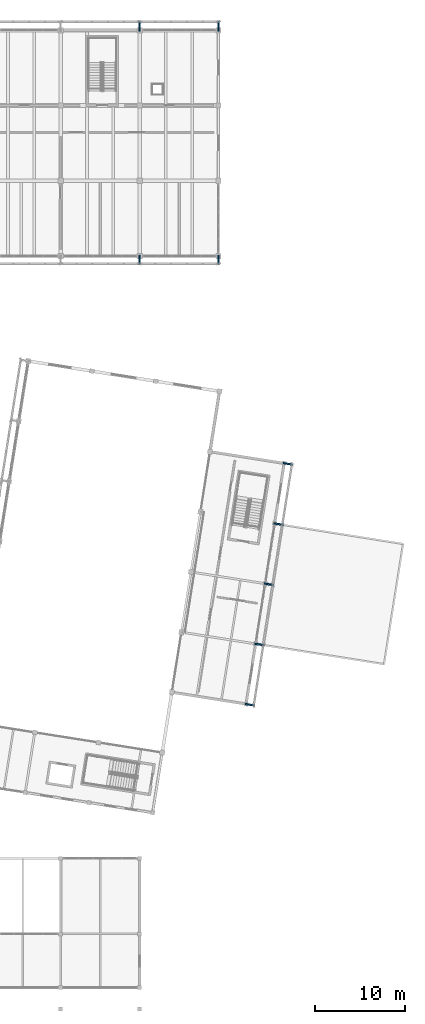
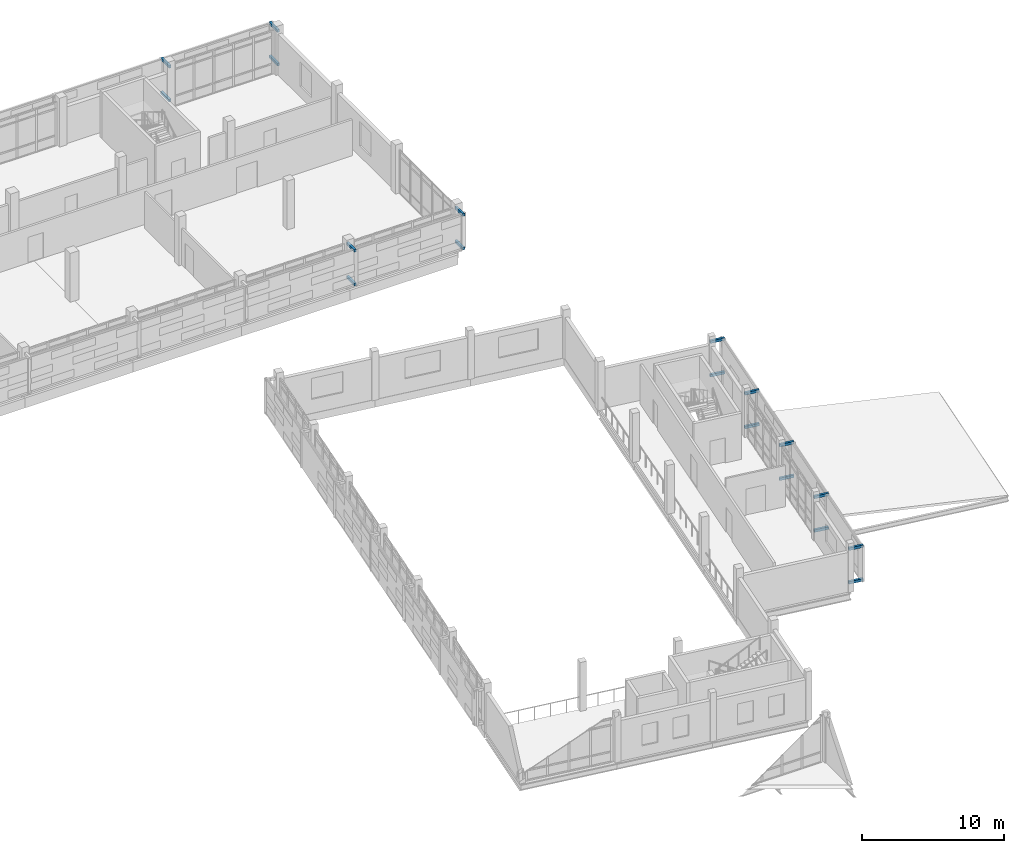
# One storey, part 118 of 137: 18 discrete accessories.
"""IFC4 building model written with IfcOpenShell, lengths in metres."""

from ifc_helpers import new_model, si_unit, direction, frame, origin, origin_2d, place, context, subcontext, project, spatial, rectangle, extrude, material, type_object, element, save


model = new_model("IFC4")

# Units and contexts
model_context = context("Model", 3, precision=1e-05, world=origin(), true_north=direction((0.0, 1.0)))
body_context = subcontext(model_context, "Body", "Model", "MODEL_VIEW")
ifc_project = project(units=[si_unit("LENGTHUNIT", "METRE"), si_unit("AREAUNIT", "SQUARE_METRE"), si_unit("VOLUMEUNIT", "CUBIC_METRE"), si_unit("PLANEANGLEUNIT", "RADIAN"), si_unit("MASSUNIT", "GRAM", prefix="KILO")], contexts=[model_context])

# Site, building, storey
site_placement = place(None, origin())
site = spatial("IfcSite", under=ifc_project, at=site_placement, CompositionType="ELEMENT")
building_placement = place(site_placement, origin())
building = spatial("IfcBuilding", under=site, at=building_placement, Name="Cinderway Yard Community Centre", CompositionType="ELEMENT")
storey_placement = place(building_placement, frame((0.0, 0.0, 4.800048828125)))
storey = spatial("IfcBuildingStorey", under=building, at=storey_placement, Name="L01", CompositionType="ELEMENT", Elevation=4.800048828125)

# Discrete accessories
ifc_material = material(Name="Steel S355", Category="steel")
discrete_accessory_type = type_object("IfcDiscreteAccessoryType", Name="ENV-ACC-BRACKET", PredefinedType="BRACKET", material=ifc_material)
for number, where, z_axis, x_axis, name in (
    (1, (136.800048828125, 115.675048828125, 0.6201171875), (0.0, 0.0, 1.0), (0.0, 1.0, 0.0), "Screen outrigger bracket 0047"),
    (2, (136.800048828125, 115.675048828125, 3.509765625), (0.0, 0.0, 1.0), (0.0, 1.0, 0.0), "Screen outrigger bracket 0048"),
    (3, (145.60009765625, 115.675048828125, 0.6201171875), (0.0, 0.0, 1.0), (0.0, 1.0, 0.0), "Screen outrigger bracket 0051"),
    (4, (145.60009765625, 115.675048828125, 3.509765625), (0.0, 0.0, 1.0), (0.0, 1.0, 0.0), "Screen outrigger bracket 0052"),
):
    element("IfcDiscreteAccessory", number, at=place(storey_placement, frame(where, z_axis=z_axis, x_axis=x_axis)), inside=storey, type_object=discrete_accessory_type, Name=name, PredefinedType="BRACKET", context=body_context, shape_type="SweptSolid", body=[
        extrude(rectangle(XDim=1.18994140625, YDim=0.179931640625, at=origin_2d()), origin(), (0.0, 0.0, 1.0), 0.219970703125),
    ])
for number, where, z_axis, x_axis, name in (
    (5, (136.800048828125, 89.574951171875, 0.6201171875), (0.0, 0.0, 1.0), (0.0, -1.0, 0.0), "Screen outrigger bracket 0219"),
    (6, (136.800048828125, 89.574951171875, 3.509765625), (0.0, 0.0, 1.0), (0.0, -1.0, 0.0), "Screen outrigger bracket 0220"),
    (7, (145.60009765625, 89.574951171875, 0.6201171875), (0.0, 0.0, 1.0), (0.0, -1.0, 0.0), "Screen outrigger bracket 0223"),
    (8, (145.60009765625, 89.574951171875, 3.509765625), (0.0, 0.0, 1.0), (0.0, -1.0, 0.0), "Screen outrigger bracket 0224"),
    (9, (149.114013671875, 39.95703125, 0.6201171875), (0.0, 0.0, 1.0), (0.987688340595, -0.15643446504, 0.0), "Screen outrigger bracket 0607"),
    (10, (149.114013671875, 39.95703125, 3.509765625), (0.0, 0.0, 1.0), (0.987688340595, -0.15643446504, 0.0), "Screen outrigger bracket 0608"),
    (11, (150.177978515625, 46.674072265625, 0.6201171875), (0.0, 0.0, 1.0), (0.987688340595, -0.15643446504, 0.0), "Screen outrigger bracket 0611"),
    (12, (150.177978515625, 46.674072265625, 3.509765625), (0.0, 0.0, 1.0), (0.987688340595, -0.15643446504, 0.0), "Screen outrigger bracket 0612"),
    (13, (151.241943359375, 53.389892578125, 0.6201171875), (0.0, 0.0, 1.0), (0.987688340595, -0.15643446504, 0.0), "Screen outrigger bracket 0615"),
    (14, (151.241943359375, 53.389892578125, 3.509765625), (0.0, 0.0, 1.0), (0.987688340595, -0.15643446504, 0.0), "Screen outrigger bracket 0616"),
    (15, (152.305908203125, 60.10595703125, 0.6201171875), (0.0, 0.0, 1.0), (0.987688340595, -0.15643446504, 0.0), "Screen outrigger bracket 0619"),
    (16, (152.305908203125, 60.10595703125, 3.509765625), (0.0, 0.0, 1.0), (0.987688340595, -0.15643446504, 0.0), "Screen outrigger bracket 0620"),
    (17, (153.368896484375, 66.822021484375, 0.6201171875), (0.0, 0.0, 1.0), (0.987688340595, -0.15643446504, 0.0), "Screen outrigger bracket 0623"),
    (18, (153.368896484375, 66.822021484375, 3.509765625), (0.0, 0.0, 1.0), (0.987688340595, -0.15643446504, 0.0), "Screen outrigger bracket 0624"),
):
    element("IfcDiscreteAccessory", number, at=place(storey_placement, frame(where, z_axis=z_axis, x_axis=x_axis)), inside=storey, type_object=discrete_accessory_type, Name=name, PredefinedType="BRACKET", context=body_context, shape_type="SweptSolid", body=[
        extrude(rectangle(XDim=1.090087890625, YDim=0.179931640625, at=origin_2d()), origin(), (0.0, 0.0, 1.0), 0.219970703125),
    ])

save(model, "model.ifc")
